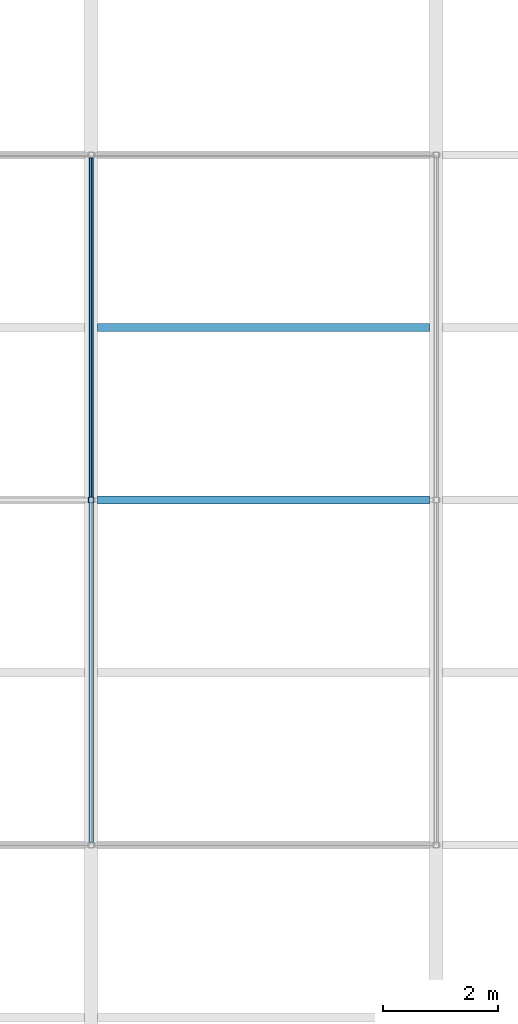
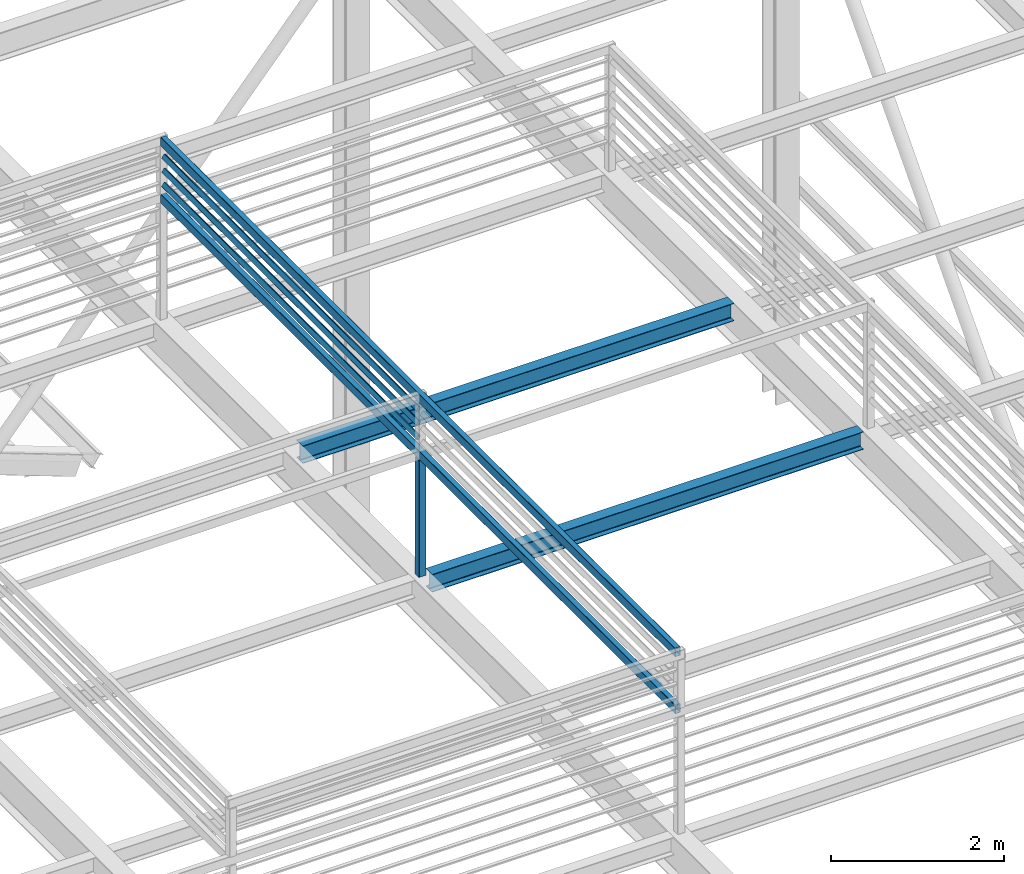
# One storey, part 12 of 57: 4 beams, 4 members.
"""IFC4 building model written with IfcOpenShell, lengths in metres."""

from ifc_helpers import new_model, si_unit, direction, frame, origin, origin_2d, place, context, subcontext, project, spatial, hollow_rectangle, i_section, extrude, material, material_profile, profile_set, type_object, element, save


model = new_model("IFC4")

# Units and contexts
model_context = context("Model", 3, precision=1e-05, world=origin(), true_north=direction((0.0, 1.0)))
body_context = subcontext(model_context, "Body", "Model", "MODEL_VIEW")
ifc_project = project(units=[si_unit("LENGTHUNIT", "METRE"), si_unit("AREAUNIT", "SQUARE_METRE"), si_unit("VOLUMEUNIT", "CUBIC_METRE"), si_unit("PLANEANGLEUNIT", "RADIAN"), si_unit("MASSUNIT", "GRAM", prefix="KILO")], contexts=[model_context])

# Site, building, storey
site_placement = place(None, origin())
site = spatial("IfcSite", under=ifc_project, at=site_placement, CompositionType="ELEMENT")
building_placement = place(site_placement, origin())
building = spatial("IfcBuilding", under=site, at=building_placement, Name="Saffron Lane Theatres", CompositionType="ELEMENT")
storey_placement = place(building_placement, frame((0.0, 0.0, 28.0)))
storey = spatial("IfcBuildingStorey", under=building, at=storey_placement, Name="Upper Roof", CompositionType="ELEMENT", Elevation=28.0)

# Member
ifc_material_1 = material(Name="Steel Grade 350", Category="steel")
ifc_material_profile_1 = material_profile(ifc_material_1, hollow_rectangle(XDim=0.10009765625, YDim=0.10009765625, WallThickness=0.006103515625, InnerFilletRadius=0.0029296875, OuterFilletRadius=0.009033203125, at=origin_2d()))
ifc_profile_set_1 = profile_set([ifc_material_profile_1], Name="Steel Grade 350")
member_type_1 = type_object("IfcMemberType", Name="ST-LANTERN POST 100x100x6 SHS", PredefinedType="POST", material=ifc_profile_set_1)
member_placement = place(storey_placement, frame((36.0, 42.25, 8.85009765625), z_axis=(0.0, 0.0, 1.0), x_axis=(1.0, 0.0, 0.0)))
element("IfcMember", 1, at=member_placement, inside=storey, type_object=member_type_1, Name="LP8", PredefinedType="POST", context=body_context, shape_type="SweptSolid", body=[
    extrude(hollow_rectangle(XDim=0.10009765625, YDim=0.10009765625, WallThickness=0.006103515625, InnerFilletRadius=0.0029296875, OuterFilletRadius=0.009033203125, at=origin_2d()), origin(), (0.0, 0.0, 1.0), 1.64990234375),
])

# Beams
ifc_material_2 = material(Name="Steel Grade 350", Category="steel")
ifc_material_profile_2 = material_profile(ifc_material_2, hollow_rectangle(XDim=0.074951171875, YDim=0.125, WallThickness=0.0048828125, InnerFilletRadius=0.00244140625, OuterFilletRadius=0.007568359375, at=origin_2d()))
ifc_profile_set_2 = profile_set([ifc_material_profile_2], Name="Steel Grade 350")
beam_type_1 = type_object("IfcBeamType", Name="ST-LANTERN RING 125x75x5 RHS", PredefinedType="BEAM", material=ifc_profile_set_2)
for number, where, z_axis, x_axis, name in (
    (2, (36.0, 36.28759765625, 10.5625), (0.0, 1.0, 0.0), (-1.0, 0.0, 0.0), "LR6"),
    (3, (36.0, 36.28759765625, 11.367431640625), (0.0, 1.0, 0.0), (-1.0, 0.0, 0.0), "LR12"),
):
    element("IfcBeam", number, at=place(storey_placement, frame(where, z_axis=z_axis, x_axis=x_axis)), inside=storey, type_object=beam_type_1, Name=name, PredefinedType="BEAM", context=body_context, shape_type="SweptSolid", body=[
        extrude(hollow_rectangle(XDim=0.074951171875, YDim=0.125, WallThickness=0.0048828125, InnerFilletRadius=0.00244140625, OuterFilletRadius=0.007568359375, at=origin_2d()), origin(), (0.0, 0.0, 1.0), 11.9248046875),
    ])

# Members
ifc_material_3 = material(Name="Steel Grade 350", Category="steel")
ifc_material_profile_3 = material_profile(ifc_material_3, hollow_rectangle(XDim=0.034912109375, YDim=0.06494140625, WallThickness=0.0029296875, InnerFilletRadius=0.00146484375, OuterFilletRadius=0.00439453125, at=origin_2d()))
ifc_profile_set_3 = profile_set([ifc_material_profile_3], Name="Steel Grade 350")
member_type_2 = type_object("IfcMemberType", Name="ST-LOUVRE SLAT 65x35x3 RHS", PredefinedType="MEMBER", material=ifc_profile_set_3)
for number, where, z_axis, x_axis, name in (
    (4, (36.0, 42.300048828125, 10.7548828125), (0.0, 1.0, 0.0), (-0.819152044289, 0.0, 0.573576436351), "LV66"),
    (5, (36.0, 42.300048828125, 10.955078125), (0.0, 1.0, 0.0), (-0.819152044289, 0.0, 0.573576436351), "LV72"),
    (6, (36.0, 42.300048828125, 11.155029296875), (0.0, 1.0, 0.0), (-0.819152044289, 0.0, 0.573576436351), "LV78"),
):
    element("IfcMember", number, at=place(storey_placement, frame(where, z_axis=z_axis, x_axis=x_axis)), inside=storey, type_object=member_type_2, Name=name, PredefinedType="MEMBER", context=body_context, shape_type="SweptSolid", body=[
        extrude(hollow_rectangle(XDim=0.034912109375, YDim=0.06494140625, WallThickness=0.0029296875, InnerFilletRadius=0.00146484375, OuterFilletRadius=0.00439453125, at=origin_2d()), origin(), (0.0, 0.0, 1.0), 5.89990234375),
    ])

# Beams
ifc_material_4 = material(Name="Steel Grade 350", Category="steel")
ifc_material_profile_4 = material_profile(ifc_material_4, i_section(OverallWidth=0.14599609375, OverallDepth=0.251953125, WebThickness=0.006103515625, FlangeThickness=0.008544921875, FilletRadius=0.011962890625, at=origin_2d()))
ifc_profile_set_4 = profile_set([ifc_material_profile_4], Name="Steel Grade 350")
beam_type_2 = type_object("IfcBeamType", Name="ST-ROOF JOIST 250UB31.4", PredefinedType="JOIST", material=ifc_profile_set_4)
for number, where, z_axis, x_axis, name in (
    (7, (36.114013671875, 42.25, 8.72412109375), (1.0, 0.0, 0.0), (0.0, 1.0, 0.0), "TT19"),
    (8, (36.114013671875, 45.25, 8.72412109375), (1.0, 0.0, 0.0), (0.0, 1.0, 0.0), "TT24"),
):
    element("IfcBeam", number, at=place(storey_placement, frame(where, z_axis=z_axis, x_axis=x_axis)), inside=storey, type_object=beam_type_2, Name=name, PredefinedType="JOIST", context=body_context, shape_type="SweptSolid", body=[
        extrude(i_section(OverallWidth=0.14599609375, OverallDepth=0.251953125, WebThickness=0.006103515625, FlangeThickness=0.008544921875, FilletRadius=0.011962890625, at=origin_2d()), origin(), (0.0, 0.0, 1.0), 5.77197265625),
    ])

save(model, "model.ifc")
